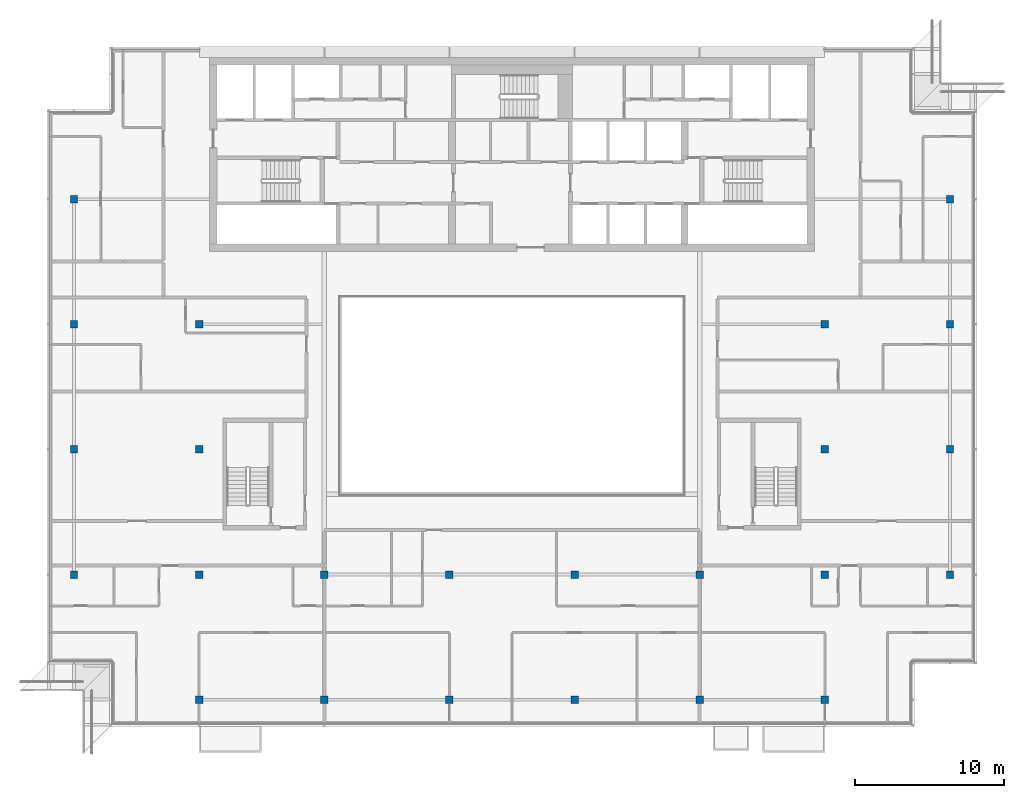
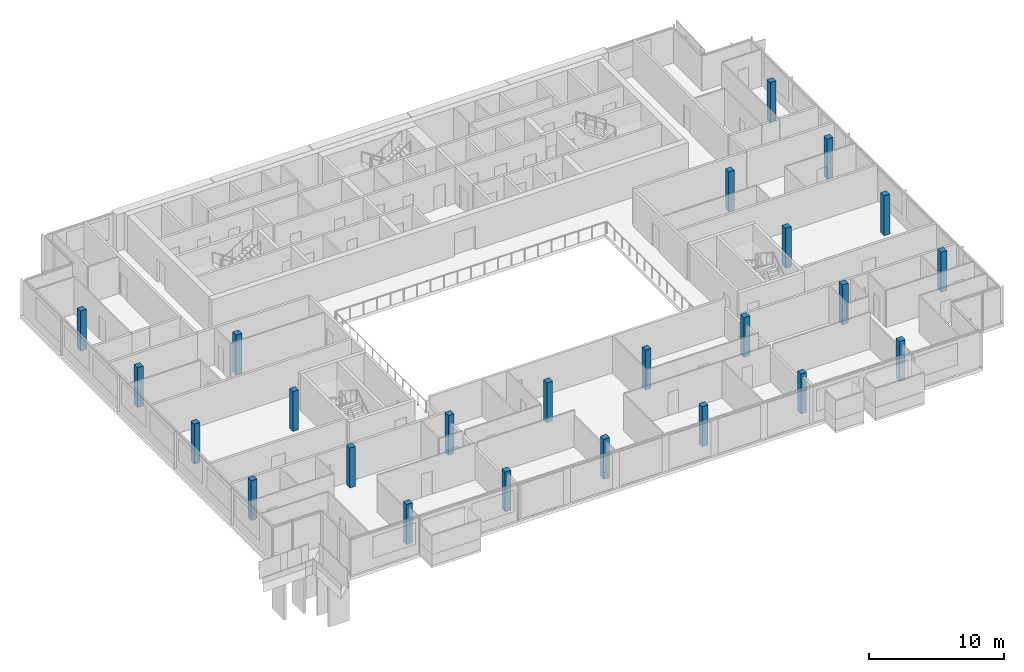
# One storey, part 1 of 24: 24 columns.
"""IFC4 building model written with IfcOpenShell, lengths in metres."""

import ifcopenshell
import ifcopenshell.guid

model = None  # the IFC model being written
_history = None  # IfcOwnerHistory: only IFC2X3 demands one
_inside = {}  # id of a spatial element -> (the spatial element, [elements in it])
_under = {}  # id of a project, library or spatial element -> (it, [spatial elements below it])
_declared = {}  # id of a project -> (the project, [libraries it declares])
_typed = {}  # id of a type object -> (the type object, [elements of that type])
_made_of = {}  # id of a material, layer set ... -> (it, [elements and type objects made of it])


def new_model(schema):
    """Start an empty IFC model of exactly this schema.

    Asked for "IFC4X3", IfcOpenShell would pick the latest addendum, in which some entities
    have other attributes; the version numbers below select the first issue.
    IFC2X3 requires an IfcOwnerHistory on every rooted entity: one is made here for all.
    """
    global model, _history
    if schema == "IFC4X3":
        model = ifcopenshell.file(schema_version=(4, 3, 0, 0))
    else:
        model = ifcopenshell.file(schema=schema)
    _inside.clear()
    _under.clear()
    _declared.clear()
    _typed.clear()
    _made_of.clear()
    _history = None
    if model.schema == "IFC2X3":
        org = make("IfcOrganization", Name="unknown")
        user = make(
            "IfcPersonAndOrganization",
            ThePerson=make("IfcPerson", FamilyName="unknown"),
            TheOrganization=org,
        )
        app = make(
            "IfcApplication",
            ApplicationDeveloper=org,
            Version="unknown",
            ApplicationFullName="unknown",
            ApplicationIdentifier="unknown",
        )
        _history = make(
            "IfcOwnerHistory",
            OwningUser=user,
            OwningApplication=app,
            ChangeAction="ADDED",
            CreationDate=0,
        )
    return model


def make(cls, **values):
    """One entity of the class cls with the attributes given. An attribute that is None is left unset."""
    return model.create_entity(
        cls, **{name: value for name, value in values.items() if value is not None}
    )


def rooted(cls, **values):
    """An entity with a GlobalId (a new one), such as an element, a storey or a relation."""
    return make(cls, GlobalId=ifcopenshell.guid.new(), OwnerHistory=_history, **values)


def si_unit(unit_type, name, prefix=None):
    """IfcSIUnit, for example si_unit("LENGTHUNIT", "METRE", prefix="MILLI")."""
    return make("IfcSIUnit", UnitType=unit_type, Prefix=prefix, Name=name)


def assignment(units):
    """IfcUnitAssignment: the units of a project."""
    return None if units is None else make("IfcUnitAssignment", Units=units)


def point(xyz):
    """IfcCartesianPoint."""
    return None if xyz is None else make("IfcCartesianPoint", Coordinates=xyz)


def direction(xyz):
    """IfcDirection."""
    return None if xyz is None else make("IfcDirection", DirectionRatios=xyz)


def frame(location, z_axis=None, x_axis=None):
    """IfcAxis2Placement3D, a coordinate frame: its origin and axes. An axis left out is left unset."""
    return make(
        "IfcAxis2Placement3D",
        Location=point(location),
        Axis=direction(z_axis),
        RefDirection=direction(x_axis),
    )


def frame_2d(location, x_axis=None):
    """IfcAxis2Placement2D, a coordinate frame in the plane: its origin and x axis."""
    return make(
        "IfcAxis2Placement2D", Location=point(location), RefDirection=direction(x_axis)
    )


def origin():
    """The frame at (0, 0, 0) with its axes left unset."""
    return frame((0.0, 0.0, 0.0))


def origin_2d():
    """The frame at (0, 0) in the plane with its x axis left unset."""
    return frame_2d((0.0, 0.0))


def place(relative_to, where):
    """IfcLocalPlacement: puts the frame where relative to a parent placement (None: the world)."""
    return make(
        "IfcLocalPlacement", PlacementRelTo=relative_to, RelativePlacement=where
    )


def context(
    kind, dimensions, precision=None, world=None, true_north=None, identifier=None
):
    """IfcGeometricRepresentationContext, for example the 3D "Model" context."""
    return make(
        "IfcGeometricRepresentationContext",
        ContextIdentifier=identifier,
        ContextType=kind,
        CoordinateSpaceDimension=dimensions,
        Precision=precision,
        WorldCoordinateSystem=world,
        TrueNorth=true_north,
    )


def subcontext(parent, identifier, kind, view, scale=None):
    """IfcGeometricRepresentationSubContext, for example "Body" below "Model"."""
    return make(
        "IfcGeometricRepresentationSubContext",
        ContextIdentifier=identifier,
        ContextType=kind,
        ParentContext=parent,
        TargetScale=scale,
        TargetView=view,
    )


def project(units=None, contexts=None):
    """IfcProject with its units and contexts."""
    return rooted(
        "IfcProject",
        Name="project",
        RepresentationContexts=contexts,
        UnitsInContext=assignment(units),
    )


def spatial(cls, under=None, at=None, **own):
    """A site, building, storey or space (cls), placed at a placement, below another one or the project."""
    s = rooted(cls, ObjectPlacement=at, **own)
    if under is not None:
        _under.setdefault(under.id(), (under, []))[1].append(s)
    return s


def profile(cls, at=None, kind="AREA", **sizes):
    """A parametric profile (cls). Its sizes go by their IFC names, for example OverallWidth=200.0."""
    return make(cls, ProfileType=kind, Position=at, **sizes)


def rectangle(**sizes):
    """IfcRectangleProfileDef."""
    return profile("IfcRectangleProfileDef", **sizes)


def extrude(swept, where, along, depth):
    """IfcExtrudedAreaSolid: the profile swept, set in the frame where, extruded along a direction by depth."""
    return make(
        "IfcExtrudedAreaSolid",
        SweptArea=swept,
        Position=where,
        ExtrudedDirection=direction(along),
        Depth=depth,
    )


def shape(context_of_items, identifier, shape_type, items):
    """IfcShapeRepresentation: the items that make up one representation, for example the "Body"."""
    return make(
        "IfcShapeRepresentation",
        ContextOfItems=context_of_items,
        RepresentationIdentifier=identifier,
        RepresentationType=shape_type,
        Items=items,
    )


def material(Name=None, Category=None):
    """IfcMaterial."""
    return make("IfcMaterial", Name=Name, Category=Category)


def material_profile(
    of_material, cross_section, Name=None, Category=None, Priority=None
):
    """IfcMaterialProfile: a cross section and its material."""
    return make(
        "IfcMaterialProfile",
        Name=Name,
        Material=of_material,
        Profile=cross_section,
        Priority=Priority,
        Category=Category,
    )


def profile_set(profiles, Name=None, composite=None):
    """IfcMaterialProfileSet."""
    return make(
        "IfcMaterialProfileSet",
        Name=Name,
        MaterialProfiles=profiles,
        CompositeProfile=composite,
    )


def made_of(thing, what):
    """Note that an element or type object is made of a material, layer set ...; save() writes the relation."""
    if what is not None:
        _made_of.setdefault(what.id(), (what, []))[1].append(thing)
    return thing


def type_object(cls, material=None, **own):
    """A type object (cls), such as IfcWallType, which elements share."""
    return made_of(rooted(cls, **own), material)


def element(
    cls,
    number,
    at=None,
    inside=None,
    cuts=None,
    type_object=None,
    material=None,
    context=None,
    identifier="Body",
    shape_type=None,
    held_by="IfcProductDefinitionShape",
    body=None,
    shapes=None,
    **own,
):
    """One element of the class cls, such as IfcWall. Its Tag is "e" and its number.

    at: its placement. inside: the storey or other place that contains it. cuts: it is an
    opening in that element (IfcRelVoidsElement). A single representation is given by context,
    identifier, shape_type and body (its items); several are given by shapes. held_by: the class
    of the entity that holds the representations. save() writes the other relations.
    """
    e = rooted(cls, Tag="e%d" % number, ObjectPlacement=at, **own)
    if body is not None:
        shapes = [shape(context, identifier, shape_type, body)]
    if shapes is not None:
        e.Representation = make(held_by, Representations=shapes)
    if inside is not None:
        _inside.setdefault(inside.id(), (inside, []))[1].append(e)
    if cuts is not None:
        rooted(
            "IfcRelVoidsElement", RelatingBuildingElement=cuts, RelatedOpeningElement=e
        )
    if type_object is not None:
        _typed.setdefault(type_object.id(), (type_object, []))[1].append(e)
    return made_of(e, material)


def aggregate(whole, parts):
    """IfcRelAggregates: a whole, such as a stair, and the parts it consists of."""
    return rooted("IfcRelAggregates", RelatingObject=whole, RelatedObjects=parts)


def save(model, path):
    """Write the relations noted so far, then the file.

    IfcRelAggregates (storeys below a building ...), IfcRelContainedInSpatialStructure (elements
    in a storey), IfcRelDefinesByType, IfcRelAssociatesMaterial and IfcRelDeclares: one each for
    every whole, place, type object, material and project.
    """
    for whole, parts in _under.values():
        aggregate(whole, parts)
    for where, things in _inside.values():
        rooted(
            "IfcRelContainedInSpatialStructure",
            RelatedElements=things,
            RelatingStructure=where,
        )
    for kind, things in _typed.values():
        rooted("IfcRelDefinesByType", RelatedObjects=things, RelatingType=kind)
    for what, things in _made_of.values():
        rooted("IfcRelAssociatesMaterial", RelatedObjects=things, RelatingMaterial=what)
    for by, libraries in _declared.values():
        rooted("IfcRelDeclares", RelatingContext=by, RelatedDefinitions=libraries)
    model.write(path)


model = new_model("IFC4")

# Units and contexts
model_context = context("Model", 3, precision=1e-05, world=origin(), true_north=direction((0.0, 1.0)))
body_context = subcontext(model_context, "Body", "Model", "MODEL_VIEW")
ifc_project = project(units=[si_unit("LENGTHUNIT", "METRE"), si_unit("AREAUNIT", "SQUARE_METRE"), si_unit("VOLUMEUNIT", "CUBIC_METRE"), si_unit("PLANEANGLEUNIT", "RADIAN"), si_unit("MASSUNIT", "GRAM", prefix="KILO")], contexts=[model_context])

# Site, building, storey
site_placement = place(None, origin())
site = spatial("IfcSite", under=ifc_project, at=site_placement, CompositionType="ELEMENT")
building_placement = place(site_placement, origin())
building = spatial("IfcBuilding", under=site, at=building_placement, Name="Saffron Gate Tower", CompositionType="ELEMENT")
storey_placement = place(building_placement, frame((0.0, 0.0, 281.550048828125)))
storey = spatial("IfcBuildingStorey", under=building, at=storey_placement, Name="L68", CompositionType="ELEMENT", Elevation=281.550048828125)

# Columns
ifc_material = material(Name="Concrete C40", Category="concrete")
ifc_material_profile = material_profile(ifc_material, rectangle(XDim=0.5, YDim=0.5, at=origin_2d()))
ifc_profile_set = profile_set([ifc_material_profile], Name="Concrete C40")
column_type = type_object("IfcColumnType", Name="C1 RC 500x500 CONCRETE C40", PredefinedType="COLUMN", material=ifc_profile_set)
for number, where, z_axis, x_axis, name in (
    (1, (58.199951171875, 40.199951171875, 0.0), (0.0, 0.0, 1.0), (1.0, 0.0, 0.0), "C1 COLUMN X2-B"),
    (2, (58.199951171875, 48.60009765625, 0.0), (0.0, 0.0, 1.0), (1.0, 0.0, 0.0), "C1 COLUMN X2-C"),
    (3, (58.199951171875, 57.0, 0.0), (0.0, 0.0, 1.0), (1.0, 0.0, 0.0), "C1 COLUMN X2-D"),
    (4, (58.199951171875, 65.39990234375, 0.0), (0.0, 0.0, 1.0), (1.0, 0.0, 0.0), "C1 COLUMN X2-E"),
    (5, (66.60009765625, 31.800048828125, 0.0), (0.0, 0.0, 1.0), (1.0, 0.0, 0.0), "C1 COLUMN X3-A"),
    (6, (66.60009765625, 40.199951171875, 0.0), (0.0, 0.0, 1.0), (1.0, 0.0, 0.0), "C1 COLUMN X3-B"),
    (7, (66.60009765625, 48.60009765625, 0.0), (0.0, 0.0, 1.0), (1.0, 0.0, 0.0), "C1 COLUMN X3-C"),
    (8, (66.60009765625, 57.0, 0.0), (0.0, 0.0, 1.0), (1.0, 0.0, 0.0), "C1 COLUMN X3-D"),
    (9, (75.0, 31.800048828125, 0.0), (0.0, 0.0, 1.0), (1.0, 0.0, 0.0), "C1 COLUMN X4-A"),
    (10, (75.0, 40.199951171875, 0.0), (0.0, 0.0, 1.0), (1.0, 0.0, 0.0), "C1 COLUMN X4-B"),
    (11, (83.39990234375, 31.800048828125, 0.0), (0.0, 0.0, 1.0), (1.0, 0.0, 0.0), "C1 COLUMN X5-A"),
    (12, (83.39990234375, 40.199951171875, 0.0), (0.0, 0.0, 1.0), (1.0, 0.0, 0.0), "C1 COLUMN X5-B"),
    (13, (91.800048828125, 31.800048828125, 0.0), (0.0, 0.0, 1.0), (1.0, 0.0, 0.0), "C1 COLUMN X6-A"),
    (14, (91.800048828125, 40.199951171875, 0.0), (0.0, 0.0, 1.0), (1.0, 0.0, 0.0), "C1 COLUMN X6-B"),
    (15, (100.199951171875, 31.800048828125, 0.0), (0.0, 0.0, 1.0), (1.0, 0.0, 0.0), "C1 COLUMN X7-A"),
    (16, (100.199951171875, 40.199951171875, 0.0), (0.0, 0.0, 1.0), (1.0, 0.0, 0.0), "C1 COLUMN X7-B"),
    (17, (108.60009765625, 31.800048828125, 0.0), (0.0, 0.0, 1.0), (1.0, 0.0, 0.0), "C1 COLUMN X8-A"),
    (18, (108.60009765625, 40.199951171875, 0.0), (0.0, 0.0, 1.0), (1.0, 0.0, 0.0), "C1 COLUMN X8-B"),
    (19, (108.60009765625, 48.60009765625, 0.0), (0.0, 0.0, 1.0), (1.0, 0.0, 0.0), "C1 COLUMN X8-C"),
    (20, (108.60009765625, 57.0, 0.0), (0.0, 0.0, 1.0), (1.0, 0.0, 0.0), "C1 COLUMN X8-D"),
    (21, (117.0, 40.199951171875, 0.0), (0.0, 0.0, 1.0), (1.0, 0.0, 0.0), "C1 COLUMN X9-B"),
    (22, (117.0, 48.60009765625, 0.0), (0.0, 0.0, 1.0), (1.0, 0.0, 0.0), "C1 COLUMN X9-C"),
    (23, (117.0, 57.0, 0.0), (0.0, 0.0, 1.0), (1.0, 0.0, 0.0), "C1 COLUMN X9-D"),
    (24, (117.0, 65.39990234375, 0.0), (0.0, 0.0, 1.0), (1.0, 0.0, 0.0), "C1 COLUMN X9-E"),
):
    element("IfcColumn", number, at=place(storey_placement, frame(where, z_axis=z_axis, x_axis=x_axis)), inside=storey, type_object=column_type, Name=name, PredefinedType="COLUMN", context=body_context, shape_type="SweptSolid", body=[
        extrude(rectangle(XDim=0.5, YDim=0.5, at=origin_2d()), origin(), (0.0, 0.0, 1.0), 3.599853515625),
    ])

save(model, "model.ifc")
